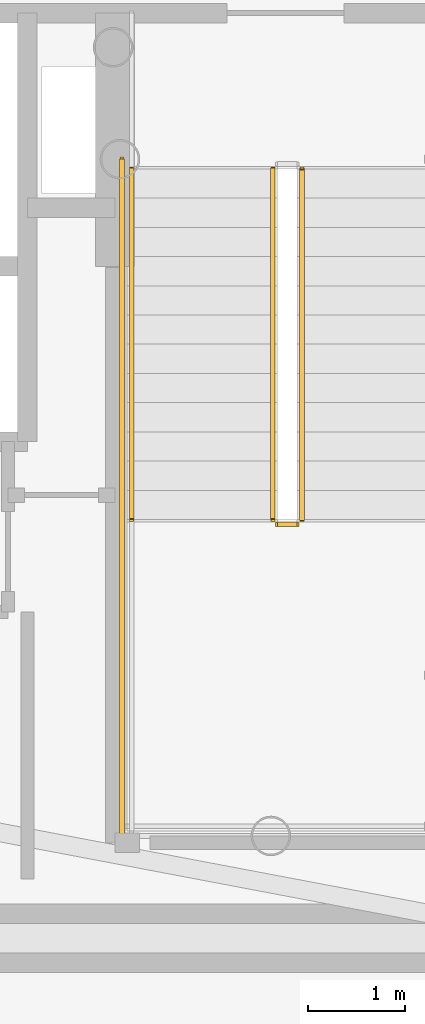
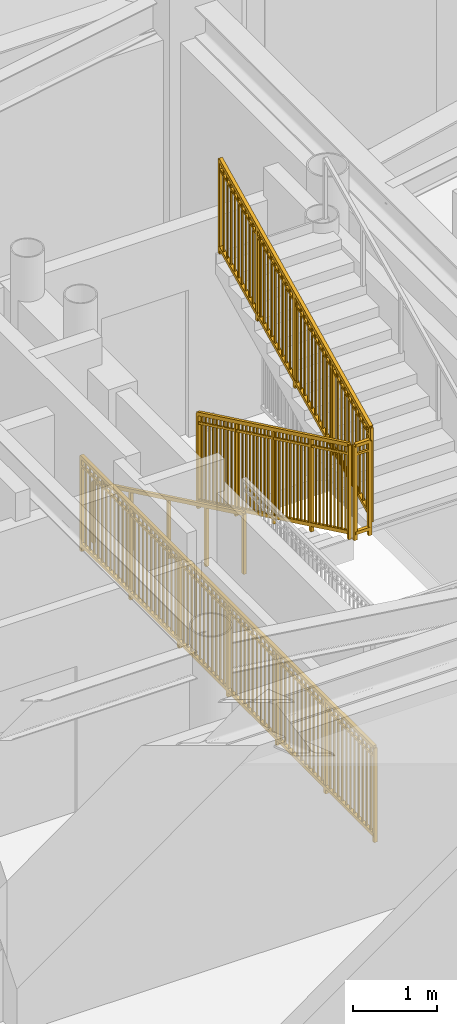
# One storey, part 16 of 19: 5 railings.
"""IFC4 building model written with IfcOpenShell, lengths in metres."""

from ifc_helpers import new_model, si_unit, direction, frame, origin, origin_2d, place, context, subcontext, project, spatial, rectangle, extrude, source, transform, mapped, material, type_object, element, save


model = new_model("IFC4")

# Units and contexts
model_context = context("Model", 3, precision=1e-05, world=origin(), true_north=direction((0.0, 1.0)))
body_context = subcontext(model_context, "Body", "Model", "MODEL_VIEW")
ifc_project = project(units=[si_unit("LENGTHUNIT", "METRE"), si_unit("AREAUNIT", "SQUARE_METRE"), si_unit("VOLUMEUNIT", "CUBIC_METRE"), si_unit("PLANEANGLEUNIT", "RADIAN"), si_unit("MASSUNIT", "GRAM", prefix="KILO")], contexts=[model_context])

# Site, building, storey
site_placement = place(None, origin())
site = spatial("IfcSite", under=ifc_project, at=site_placement, CompositionType="ELEMENT")
building_placement = place(site_placement, origin())
building = spatial("IfcBuilding", under=site, at=building_placement, Name="Linh Dai School and Residence Tower", CompositionType="ELEMENT")
storey_placement = place(building_placement, frame((0.0, 0.0, 217.800048828125)))
storey = spatial("IfcBuildingStorey", under=building, at=storey_placement, Name="L53", CompositionType="ELEMENT", Elevation=217.800048828125)

# Railings
ifc_material_1 = material(Name="Structural Steel S355JR", Category="steel")
railing_type_1 = type_object("IfcRailingType", Name="RL-ST-GUARD-1400", PredefinedType="GUARDRAIL", material=ifc_material_1)
shared_shape_1 = source(origin(), body_context, "Body", "SweptSolid", [
    extrude(rectangle(XDim=0.048095703125, YDim=0.048095703125, at=origin_2d()), frame((0.0, 0.0, 1.3759765625), z_axis=(0.0, 0.901262522062, 0.433273431364), x_axis=(-1.0, 0.0, 0.0)), (0.0, 0.0, 1.0), 3.994384765625),
    extrude(rectangle(XDim=0.048095703125, YDim=0.048095703125, at=origin_2d()), frame((0.0, 0.0, 0.10009765625), z_axis=(0.0, 0.901262522062, 0.433273431364), x_axis=(-1.0, 0.0, 0.0)), (0.0, 0.0, 1.0), 3.994384765625),
    extrude(rectangle(XDim=0.030029296875, YDim=0.030029296875, at=origin_2d()), frame((0.0, 0.0, 1.239990234375), z_axis=(0.0, 0.901262522062, 0.433273431364), x_axis=(-1.0, 0.0, 0.0)), (0.0, 0.0, 1.0), 3.994384765625),
    extrude(rectangle(XDim=0.02001953125, YDim=0.02001953125, at=origin_2d()), frame((0.0, 0.087890625, 0.142333984375)), (0.0, 0.0, 1.0), 1.251708984375),
    extrude(rectangle(XDim=0.02001953125, YDim=0.02001953125, at=origin_2d()), frame((0.0, 0.175537109375, 0.1845703125)), (0.0, 0.0, 1.0), 1.251708984375),
    extrude(rectangle(XDim=0.02001953125, YDim=0.02001953125, at=origin_2d()), frame((0.0, 0.263427734375, 0.226806640625)), (0.0, 0.0, 1.0), 1.251708984375),
    extrude(rectangle(XDim=0.02001953125, YDim=0.02001953125, at=origin_2d()), frame((0.0, 0.351318359375, 0.26904296875)), (0.0, 0.0, 1.0), 1.251708984375),
    extrude(rectangle(XDim=0.02001953125, YDim=0.02001953125, at=origin_2d()), frame((0.0, 0.43896484375, 0.311279296875)), (0.0, 0.0, 1.0), 1.251708984375),
    extrude(rectangle(XDim=0.02001953125, YDim=0.02001953125, at=origin_2d()), frame((0.0, 0.52685546875, 0.353271484375)), (0.0, 0.0, 1.0), 1.251708984375),
    extrude(rectangle(XDim=0.02001953125, YDim=0.02001953125, at=origin_2d()), frame((0.0, 0.61474609375, 0.3955078125)), (0.0, 0.0, 1.0), 1.251708984375),
    extrude(rectangle(XDim=0.02001953125, YDim=0.02001953125, at=origin_2d()), frame((0.0, 0.702392578125, 0.437744140625)), (0.0, 0.0, 1.0), 1.251708984375),
    extrude(rectangle(XDim=0.02001953125, YDim=0.02001953125, at=origin_2d()), frame((0.0, 0.790283203125, 0.47998046875)), (0.0, 0.0, 1.0), 1.251708984375),
    extrude(rectangle(XDim=0.02001953125, YDim=0.02001953125, at=origin_2d()), frame((0.0, 0.9658203125, 0.564453125)), (0.0, 0.0, 1.0), 1.251708984375),
    extrude(rectangle(XDim=0.02001953125, YDim=0.02001953125, at=origin_2d()), frame((0.0, 1.0537109375, 0.606689453125)), (0.0, 0.0, 1.0), 1.251708984375),
    extrude(rectangle(XDim=0.02001953125, YDim=0.02001953125, at=origin_2d()), frame((0.0, 1.1416015625, 0.64892578125)), (0.0, 0.0, 1.0), 1.251708984375),
    extrude(rectangle(XDim=0.02001953125, YDim=0.02001953125, at=origin_2d()), frame((0.0, 1.229248046875, 0.691162109375)), (0.0, 0.0, 1.0), 1.251708984375),
    extrude(rectangle(XDim=0.02001953125, YDim=0.02001953125, at=origin_2d()), frame((0.0, 1.317138671875, 0.7333984375)), (0.0, 0.0, 1.0), 1.251708984375),
    extrude(rectangle(XDim=0.02001953125, YDim=0.02001953125, at=origin_2d()), frame((0.0, 1.405029296875, 0.775390625)), (0.0, 0.0, 1.0), 1.251708984375),
    extrude(rectangle(XDim=0.02001953125, YDim=0.02001953125, at=origin_2d()), frame((0.0, 1.49267578125, 0.817626953125)), (0.0, 0.0, 1.0), 1.251708984375),
    extrude(rectangle(XDim=0.02001953125, YDim=0.02001953125, at=origin_2d()), frame((0.0, 1.58056640625, 0.85986328125)), (0.0, 0.0, 1.0), 1.251708984375),
    extrude(rectangle(XDim=0.02001953125, YDim=0.02001953125, at=origin_2d()), frame((0.0, 1.66845703125, 0.902099609375)), (0.0, 0.0, 1.0), 1.251708984375),
    extrude(rectangle(XDim=0.02001953125, YDim=0.02001953125, at=origin_2d()), frame((0.0, 1.756103515625, 0.9443359375)), (0.0, 0.0, 1.0), 1.251708984375),
    extrude(rectangle(XDim=0.02001953125, YDim=0.02001953125, at=origin_2d()), frame((0.0, 1.843994140625, 0.986572265625)), (0.0, 0.0, 1.0), 1.251708984375),
    extrude(rectangle(XDim=0.02001953125, YDim=0.02001953125, at=origin_2d()), frame((0.0, 1.931640625, 1.02880859375)), (0.0, 0.0, 1.0), 1.251708984375),
    extrude(rectangle(XDim=0.02001953125, YDim=0.02001953125, at=origin_2d()), frame((0.0, 2.01953125, 1.071044921875)), (0.0, 0.0, 1.0), 1.251708984375),
    extrude(rectangle(XDim=0.02001953125, YDim=0.02001953125, at=origin_2d()), frame((0.0, 2.107421875, 1.11328125)), (0.0, 0.0, 1.0), 1.251708984375),
    extrude(rectangle(XDim=0.02001953125, YDim=0.02001953125, at=origin_2d()), frame((0.0, 2.195068359375, 1.155517578125)), (0.0, 0.0, 1.0), 1.251708984375),
    extrude(rectangle(XDim=0.02001953125, YDim=0.02001953125, at=origin_2d()), frame((0.0, 2.282958984375, 1.197509765625)), (0.0, 0.0, 1.0), 1.251708984375),
    extrude(rectangle(XDim=0.02001953125, YDim=0.02001953125, at=origin_2d()), frame((0.0, 2.370849609375, 1.23974609375)), (0.0, 0.0, 1.0), 1.251708984375),
    extrude(rectangle(XDim=0.02001953125, YDim=0.02001953125, at=origin_2d()), frame((0.0, 2.45849609375, 1.281982421875)), (0.0, 0.0, 1.0), 1.251708984375),
    extrude(rectangle(XDim=0.02001953125, YDim=0.02001953125, at=origin_2d()), frame((0.0, 2.54638671875, 1.32421875)), (0.0, 0.0, 1.0), 1.251708984375),
    extrude(rectangle(XDim=0.02001953125, YDim=0.02001953125, at=origin_2d()), frame((0.0, 2.63427734375, 1.366455078125)), (0.0, 0.0, 1.0), 1.251708984375),
    extrude(rectangle(XDim=0.02001953125, YDim=0.02001953125, at=origin_2d()), frame((0.0, 2.809814453125, 1.450927734375)), (0.0, 0.0, 1.0), 1.251708984375),
    extrude(rectangle(XDim=0.02001953125, YDim=0.02001953125, at=origin_2d()), frame((0.0, 2.897705078125, 1.4931640625)), (0.0, 0.0, 1.0), 1.251708984375),
    extrude(rectangle(XDim=0.02001953125, YDim=0.02001953125, at=origin_2d()), frame((0.0, 2.9853515625, 1.535400390625)), (0.0, 0.0, 1.0), 1.251708984375),
    extrude(rectangle(XDim=0.02001953125, YDim=0.02001953125, at=origin_2d()), frame((0.0, 3.0732421875, 1.57763671875)), (0.0, 0.0, 1.0), 1.251708984375),
    extrude(rectangle(XDim=0.02001953125, YDim=0.02001953125, at=origin_2d()), frame((0.0, 3.1611328125, 1.61962890625)), (0.0, 0.0, 1.0), 1.251708984375),
    extrude(rectangle(XDim=0.02001953125, YDim=0.02001953125, at=origin_2d()), frame((0.0, 3.248779296875, 1.661865234375)), (0.0, 0.0, 1.0), 1.251708984375),
    extrude(rectangle(XDim=0.02001953125, YDim=0.02001953125, at=origin_2d()), frame((0.0, 3.336669921875, 1.7041015625)), (0.0, 0.0, 1.0), 1.251708984375),
    extrude(rectangle(XDim=0.02001953125, YDim=0.02001953125, at=origin_2d()), frame((0.0, 3.424560546875, 1.746337890625)), (0.0, 0.0, 1.0), 1.251708984375),
    extrude(rectangle(XDim=0.02001953125, YDim=0.02001953125, at=origin_2d()), frame((0.0, 3.51220703125, 1.78857421875)), (0.0, 0.0, 1.0), 1.251708984375),
    extrude(rectangle(XDim=0.0419921875, YDim=0.0419921875, at=origin_2d()), origin(), (0.0, 0.0, 1.0), 1.3759765625),
    extrude(rectangle(XDim=0.0419921875, YDim=0.0419921875, at=origin_2d()), frame((0.0, 0.89990234375, 0.4326171875)), (0.0, 0.0, 1.0), 1.3759765625),
    extrude(rectangle(XDim=0.0419921875, YDim=0.0419921875, at=origin_2d()), frame((0.0, 1.800048828125, 0.865234375)), (0.0, 0.0, 1.0), 1.3759765625),
    extrude(rectangle(XDim=0.0419921875, YDim=0.0419921875, at=origin_2d()), frame((0.0, 2.7001953125, 1.298095703125)), (0.0, 0.0, 1.0), 1.3759765625),
    extrude(rectangle(XDim=0.0419921875, YDim=0.0419921875, at=origin_2d()), frame((0.0, 3.60009765625, 1.730712890625)), (0.0, 0.0, 1.0), 1.3759765625),
])
railing_1_placement = place(storey_placement, frame((42.820068359375, 24.64990234375, 2.019287109375)))
element("IfcRailing", 1, at=railing_1_placement, inside=storey, type_object=railing_type_1, Name="L53 ST2 stair guard 6", PredefinedType="GUARDRAIL", context=body_context, shape_type="MappedRepresentation", body=[
    mapped(shared_shape_1, transform((0.0, 0.0, 0.0), x_axis=(1.0, 0.0, 0.0), y_axis=(0.0, 1.0, 0.0), z_axis=(0.0, 0.0, 1.0), scale=1.0)),
])
shared_shape_2 = source(origin(), body_context, "Body", "SweptSolid", [
    extrude(rectangle(XDim=0.048095703125, YDim=0.048095703125, at=origin_2d()), frame((0.0, 0.0, 1.3759765625), z_axis=(0.0, -0.901262522062, 0.433273431364), x_axis=(1.0, 0.0, 0.0)), (0.0, 0.0, 1.0), 3.994384765625),
    extrude(rectangle(XDim=0.048095703125, YDim=0.048095703125, at=origin_2d()), frame((0.0, 0.0, 0.10009765625), z_axis=(0.0, -0.901262522062, 0.433273431364), x_axis=(1.0, 0.0, 0.0)), (0.0, 0.0, 1.0), 3.994384765625),
    extrude(rectangle(XDim=0.030029296875, YDim=0.030029296875, at=origin_2d()), frame((0.0, 0.0, 1.239990234375), z_axis=(0.0, -0.901262522062, 0.433273431364), x_axis=(1.0, 0.0, 0.0)), (0.0, 0.0, 1.0), 3.994384765625),
    extrude(rectangle(XDim=0.02001953125, YDim=0.02001953125, at=origin_2d()), frame((0.0, -0.087890625, 0.142333984375)), (0.0, 0.0, 1.0), 1.251708984375),
    extrude(rectangle(XDim=0.02001953125, YDim=0.02001953125, at=origin_2d()), frame((0.0, -0.175537109375, 0.1845703125)), (0.0, 0.0, 1.0), 1.251708984375),
    extrude(rectangle(XDim=0.02001953125, YDim=0.02001953125, at=origin_2d()), frame((0.0, -0.263427734375, 0.226806640625)), (0.0, 0.0, 1.0), 1.251708984375),
    extrude(rectangle(XDim=0.02001953125, YDim=0.02001953125, at=origin_2d()), frame((0.0, -0.351318359375, 0.26904296875)), (0.0, 0.0, 1.0), 1.251708984375),
    extrude(rectangle(XDim=0.02001953125, YDim=0.02001953125, at=origin_2d()), frame((0.0, -0.43896484375, 0.311279296875)), (0.0, 0.0, 1.0), 1.251708984375),
    extrude(rectangle(XDim=0.02001953125, YDim=0.02001953125, at=origin_2d()), frame((0.0, -0.52685546875, 0.353271484375)), (0.0, 0.0, 1.0), 1.251708984375),
    extrude(rectangle(XDim=0.02001953125, YDim=0.02001953125, at=origin_2d()), frame((0.0, -0.61474609375, 0.3955078125)), (0.0, 0.0, 1.0), 1.251708984375),
    extrude(rectangle(XDim=0.02001953125, YDim=0.02001953125, at=origin_2d()), frame((0.0, -0.702392578125, 0.437744140625)), (0.0, 0.0, 1.0), 1.251708984375),
    extrude(rectangle(XDim=0.02001953125, YDim=0.02001953125, at=origin_2d()), frame((0.0, -0.790283203125, 0.47998046875)), (0.0, 0.0, 1.0), 1.251708984375),
    extrude(rectangle(XDim=0.02001953125, YDim=0.02001953125, at=origin_2d()), frame((0.0, -0.9658203125, 0.564453125)), (0.0, 0.0, 1.0), 1.251708984375),
    extrude(rectangle(XDim=0.02001953125, YDim=0.02001953125, at=origin_2d()), frame((0.0, -1.0537109375, 0.606689453125)), (0.0, 0.0, 1.0), 1.251708984375),
    extrude(rectangle(XDim=0.02001953125, YDim=0.02001953125, at=origin_2d()), frame((0.0, -1.1416015625, 0.64892578125)), (0.0, 0.0, 1.0), 1.251708984375),
    extrude(rectangle(XDim=0.02001953125, YDim=0.02001953125, at=origin_2d()), frame((0.0, -1.229248046875, 0.691162109375)), (0.0, 0.0, 1.0), 1.251708984375),
    extrude(rectangle(XDim=0.02001953125, YDim=0.02001953125, at=origin_2d()), frame((0.0, -1.317138671875, 0.7333984375)), (0.0, 0.0, 1.0), 1.251708984375),
    extrude(rectangle(XDim=0.02001953125, YDim=0.02001953125, at=origin_2d()), frame((0.0, -1.405029296875, 0.775390625)), (0.0, 0.0, 1.0), 1.251708984375),
    extrude(rectangle(XDim=0.02001953125, YDim=0.02001953125, at=origin_2d()), frame((0.0, -1.49267578125, 0.817626953125)), (0.0, 0.0, 1.0), 1.251708984375),
    extrude(rectangle(XDim=0.02001953125, YDim=0.02001953125, at=origin_2d()), frame((0.0, -1.58056640625, 0.85986328125)), (0.0, 0.0, 1.0), 1.251708984375),
    extrude(rectangle(XDim=0.02001953125, YDim=0.02001953125, at=origin_2d()), frame((0.0, -1.66845703125, 0.902099609375)), (0.0, 0.0, 1.0), 1.251708984375),
    extrude(rectangle(XDim=0.02001953125, YDim=0.02001953125, at=origin_2d()), frame((0.0, -1.756103515625, 0.9443359375)), (0.0, 0.0, 1.0), 1.251708984375),
    extrude(rectangle(XDim=0.02001953125, YDim=0.02001953125, at=origin_2d()), frame((0.0, -1.843994140625, 0.986572265625)), (0.0, 0.0, 1.0), 1.251708984375),
    extrude(rectangle(XDim=0.02001953125, YDim=0.02001953125, at=origin_2d()), frame((0.0, -1.931640625, 1.02880859375)), (0.0, 0.0, 1.0), 1.251708984375),
    extrude(rectangle(XDim=0.02001953125, YDim=0.02001953125, at=origin_2d()), frame((0.0, -2.01953125, 1.071044921875)), (0.0, 0.0, 1.0), 1.251708984375),
    extrude(rectangle(XDim=0.02001953125, YDim=0.02001953125, at=origin_2d()), frame((0.0, -2.107421875, 1.11328125)), (0.0, 0.0, 1.0), 1.251708984375),
    extrude(rectangle(XDim=0.02001953125, YDim=0.02001953125, at=origin_2d()), frame((0.0, -2.195068359375, 1.155517578125)), (0.0, 0.0, 1.0), 1.251708984375),
    extrude(rectangle(XDim=0.02001953125, YDim=0.02001953125, at=origin_2d()), frame((0.0, -2.282958984375, 1.197509765625)), (0.0, 0.0, 1.0), 1.251708984375),
    extrude(rectangle(XDim=0.02001953125, YDim=0.02001953125, at=origin_2d()), frame((0.0, -2.370849609375, 1.23974609375)), (0.0, 0.0, 1.0), 1.251708984375),
    extrude(rectangle(XDim=0.02001953125, YDim=0.02001953125, at=origin_2d()), frame((0.0, -2.45849609375, 1.281982421875)), (0.0, 0.0, 1.0), 1.251708984375),
    extrude(rectangle(XDim=0.02001953125, YDim=0.02001953125, at=origin_2d()), frame((0.0, -2.54638671875, 1.32421875)), (0.0, 0.0, 1.0), 1.251708984375),
    extrude(rectangle(XDim=0.02001953125, YDim=0.02001953125, at=origin_2d()), frame((0.0, -2.63427734375, 1.366455078125)), (0.0, 0.0, 1.0), 1.251708984375),
    extrude(rectangle(XDim=0.02001953125, YDim=0.02001953125, at=origin_2d()), frame((0.0, -2.809814453125, 1.450927734375)), (0.0, 0.0, 1.0), 1.251708984375),
    extrude(rectangle(XDim=0.02001953125, YDim=0.02001953125, at=origin_2d()), frame((0.0, -2.897705078125, 1.4931640625)), (0.0, 0.0, 1.0), 1.251708984375),
    extrude(rectangle(XDim=0.02001953125, YDim=0.02001953125, at=origin_2d()), frame((0.0, -2.9853515625, 1.535400390625)), (0.0, 0.0, 1.0), 1.251708984375),
    extrude(rectangle(XDim=0.02001953125, YDim=0.02001953125, at=origin_2d()), frame((0.0, -3.0732421875, 1.57763671875)), (0.0, 0.0, 1.0), 1.251708984375),
    extrude(rectangle(XDim=0.02001953125, YDim=0.02001953125, at=origin_2d()), frame((0.0, -3.1611328125, 1.61962890625)), (0.0, 0.0, 1.0), 1.251708984375),
    extrude(rectangle(XDim=0.02001953125, YDim=0.02001953125, at=origin_2d()), frame((0.0, -3.248779296875, 1.661865234375)), (0.0, 0.0, 1.0), 1.251708984375),
    extrude(rectangle(XDim=0.02001953125, YDim=0.02001953125, at=origin_2d()), frame((0.0, -3.336669921875, 1.7041015625)), (0.0, 0.0, 1.0), 1.251708984375),
    extrude(rectangle(XDim=0.02001953125, YDim=0.02001953125, at=origin_2d()), frame((0.0, -3.424560546875, 1.746337890625)), (0.0, 0.0, 1.0), 1.251708984375),
    extrude(rectangle(XDim=0.02001953125, YDim=0.02001953125, at=origin_2d()), frame((0.0, -3.51220703125, 1.78857421875)), (0.0, 0.0, 1.0), 1.251708984375),
    extrude(rectangle(XDim=0.0419921875, YDim=0.0419921875, at=origin_2d()), origin(), (0.0, 0.0, 1.0), 1.3759765625),
    extrude(rectangle(XDim=0.0419921875, YDim=0.0419921875, at=origin_2d()), frame((0.0, -0.89990234375, 0.4326171875)), (0.0, 0.0, 1.0), 1.3759765625),
    extrude(rectangle(XDim=0.0419921875, YDim=0.0419921875, at=origin_2d()), frame((0.0, -1.800048828125, 0.865234375)), (0.0, 0.0, 1.0), 1.3759765625),
    extrude(rectangle(XDim=0.0419921875, YDim=0.0419921875, at=origin_2d()), frame((0.0, -2.7001953125, 1.298095703125)), (0.0, 0.0, 1.0), 1.3759765625),
    extrude(rectangle(XDim=0.0419921875, YDim=0.0419921875, at=origin_2d()), frame((0.0, -3.60009765625, 1.730712890625)), (0.0, 0.0, 1.0), 1.3759765625),
])
railing_2_placement = place(storey_placement, frame((42.52001953125, 28.25, 0.144287109375)))
element("IfcRailing", 2, at=railing_2_placement, inside=storey, type_object=railing_type_1, Name="L53 ST2 stair guard 1", PredefinedType="GUARDRAIL", context=body_context, shape_type="MappedRepresentation", body=[
    mapped(shared_shape_2, transform((0.0, 0.0, 0.0), x_axis=(1.0, 0.0, 0.0), y_axis=(0.0, 1.0, 0.0), z_axis=(0.0, 0.0, 1.0), scale=1.0)),
])
ifc_material_2 = material(Name="Brushed Stainless Steel Handrail", Category="steel")
railing_type_2 = type_object("IfcRailingType", Name="RL-ST-HANDRAIL-900", PredefinedType="HANDRAIL", material=ifc_material_2)
shared_shape_3 = source(origin(), body_context, "Body", "SweptSolid", [
    extrude(rectangle(XDim=0.048095703125, YDim=0.048095703125, at=origin_2d()), frame((0.0, 0.0, 0.8759765625), z_axis=(0.0, -0.901262522062, 0.433273431364), x_axis=(1.0, 0.0, 0.0)), (0.0, 0.0, 1.0), 3.994384765625),
    extrude(rectangle(XDim=0.0419921875, YDim=0.0419921875, at=origin_2d()), origin(), (0.0, 0.0, 1.0), 0.8759765625),
    extrude(rectangle(XDim=0.0419921875, YDim=0.0419921875, at=origin_2d()), frame((0.0, -0.89990234375, 0.4326171875)), (0.0, 0.0, 1.0), 0.8759765625),
    extrude(rectangle(XDim=0.0419921875, YDim=0.0419921875, at=origin_2d()), frame((0.0, -1.800048828125, 0.865234375)), (0.0, 0.0, 1.0), 0.8759765625),
    extrude(rectangle(XDim=0.0419921875, YDim=0.0419921875, at=origin_2d()), frame((0.0, -2.7001953125, 1.298095703125)), (0.0, 0.0, 1.0), 0.8759765625),
    extrude(rectangle(XDim=0.0419921875, YDim=0.0419921875, at=origin_2d()), frame((0.0, -3.60009765625, 1.730712890625)), (0.0, 0.0, 1.0), 0.8759765625),
])
railing_3_placement = place(storey_placement, frame((41.070068359375, 28.25, 0.144287109375)))
element("IfcRailing", 3, at=railing_3_placement, inside=storey, type_object=railing_type_2, Name="L53 ST2 stair handrail 1", PredefinedType="HANDRAIL", context=body_context, shape_type="MappedRepresentation", body=[
    mapped(shared_shape_3, transform((0.0, 0.0, 0.0), x_axis=(1.0, 0.0, 0.0), y_axis=(0.0, 1.0, 0.0), z_axis=(0.0, 0.0, 1.0), scale=1.0)),
])
shared_shape_4 = source(origin(), body_context, "Body", "SweptSolid", [
    extrude(rectangle(XDim=0.048095703125, YDim=0.048095703125, at=origin_2d()), frame((0.0, 0.0, 1.3759765625), z_axis=(1.0, 0.0, 0.0), x_axis=(0.0, 1.0, 0.0)), (0.0, 0.0, 1.0), 0.199951171875),
    extrude(rectangle(XDim=0.048095703125, YDim=0.048095703125, at=origin_2d()), frame((0.0, 0.0, 0.10009765625), z_axis=(1.0, 0.0, 0.0), x_axis=(0.0, 1.0, 0.0)), (0.0, 0.0, 1.0), 0.199951171875),
    extrude(rectangle(XDim=0.030029296875, YDim=0.030029296875, at=origin_2d()), frame((0.0, 0.0, 1.239990234375), z_axis=(1.0, 0.0, 0.0), x_axis=(0.0, 1.0, 0.0)), (0.0, 0.0, 1.0), 0.199951171875),
    extrude(rectangle(XDim=0.0419921875, YDim=0.0419921875, at=origin_2d()), origin(), (0.0, 0.0, 1.0), 1.3759765625),
    extrude(rectangle(XDim=0.0419921875, YDim=0.0419921875, at=origin_2d()), frame((0.199951171875, 0.0, 0.0)), (0.0, 0.0, 1.0), 1.3759765625),
])
railing_4_placement = place(storey_placement, frame((42.570068359375, 24.60009765625, 1.875)))
element("IfcRailing", 4, at=railing_4_placement, inside=storey, type_object=railing_type_1, Name="L53 ST2 stair guard 2", PredefinedType="GUARDRAIL", context=body_context, shape_type="MappedRepresentation", body=[
    mapped(shared_shape_4, transform((0.0, 0.0, 0.0), x_axis=(1.0, 0.0, 0.0), y_axis=(0.0, 1.0, 0.0), z_axis=(0.0, 0.0, 1.0), scale=1.0)),
])
shared_shape_5 = source(origin(), body_context, "Body", "SweptSolid", [
    extrude(rectangle(XDim=0.048095703125, YDim=0.048095703125, at=origin_2d()), frame((0.0, 0.0, 1.3759765625), z_axis=(0.0, -1.0, 0.0), x_axis=(1.0, 0.0, 0.0)), (0.0, 0.0, 1.0), 7.0),
    extrude(rectangle(XDim=0.048095703125, YDim=0.048095703125, at=origin_2d()), frame((0.0, 0.0, 0.10009765625), z_axis=(0.0, -1.0, 0.0), x_axis=(1.0, 0.0, 0.0)), (0.0, 0.0, 1.0), 7.0),
    extrude(rectangle(XDim=0.030029296875, YDim=0.030029296875, at=origin_2d()), frame((0.0, 0.0, 1.239990234375), z_axis=(0.0, -1.0, 0.0), x_axis=(1.0, 0.0, 0.0)), (0.0, 0.0, 1.0), 7.0),
    extrude(rectangle(XDim=0.02001953125, YDim=0.02001953125, at=origin_2d()), frame((0.0, -0.09716796875, 0.10009765625)), (0.0, 0.0, 1.0), 1.251708984375),
    extrude(rectangle(XDim=0.02001953125, YDim=0.02001953125, at=origin_2d()), frame((0.0, -0.1943359375, 0.10009765625)), (0.0, 0.0, 1.0), 1.251708984375),
    extrude(rectangle(XDim=0.02001953125, YDim=0.02001953125, at=origin_2d()), frame((0.0, -0.291748046875, 0.10009765625)), (0.0, 0.0, 1.0), 1.251708984375),
    extrude(rectangle(XDim=0.02001953125, YDim=0.02001953125, at=origin_2d()), frame((0.0, -0.388916015625, 0.10009765625)), (0.0, 0.0, 1.0), 1.251708984375),
    extrude(rectangle(XDim=0.02001953125, YDim=0.02001953125, at=origin_2d()), frame((0.0, -0.486083984375, 0.10009765625)), (0.0, 0.0, 1.0), 1.251708984375),
    extrude(rectangle(XDim=0.02001953125, YDim=0.02001953125, at=origin_2d()), frame((0.0, -0.583251953125, 0.10009765625)), (0.0, 0.0, 1.0), 1.251708984375),
    extrude(rectangle(XDim=0.02001953125, YDim=0.02001953125, at=origin_2d()), frame((0.0, -0.6806640625, 0.10009765625)), (0.0, 0.0, 1.0), 1.251708984375),
    extrude(rectangle(XDim=0.02001953125, YDim=0.02001953125, at=origin_2d()), frame((0.0, -0.77783203125, 0.10009765625)), (0.0, 0.0, 1.0), 1.251708984375),
    extrude(rectangle(XDim=0.02001953125, YDim=0.02001953125, at=origin_2d()), frame((0.0, -0.875, 0.10009765625)), (0.0, 0.0, 1.0), 1.251708984375),
    extrude(rectangle(XDim=0.02001953125, YDim=0.02001953125, at=origin_2d()), frame((0.0, -0.97216796875, 0.10009765625)), (0.0, 0.0, 1.0), 1.251708984375),
    extrude(rectangle(XDim=0.02001953125, YDim=0.02001953125, at=origin_2d()), frame((0.0, -1.0693359375, 0.10009765625)), (0.0, 0.0, 1.0), 1.251708984375),
    extrude(rectangle(XDim=0.02001953125, YDim=0.02001953125, at=origin_2d()), frame((0.0, -1.263916015625, 0.10009765625)), (0.0, 0.0, 1.0), 1.251708984375),
    extrude(rectangle(XDim=0.02001953125, YDim=0.02001953125, at=origin_2d()), frame((0.0, -1.361083984375, 0.10009765625)), (0.0, 0.0, 1.0), 1.251708984375),
    extrude(rectangle(XDim=0.02001953125, YDim=0.02001953125, at=origin_2d()), frame((0.0, -1.458251953125, 0.10009765625)), (0.0, 0.0, 1.0), 1.251708984375),
    extrude(rectangle(XDim=0.02001953125, YDim=0.02001953125, at=origin_2d()), frame((0.0, -1.5556640625, 0.10009765625)), (0.0, 0.0, 1.0), 1.251708984375),
    extrude(rectangle(XDim=0.02001953125, YDim=0.02001953125, at=origin_2d()), frame((0.0, -1.65283203125, 0.10009765625)), (0.0, 0.0, 1.0), 1.251708984375),
    extrude(rectangle(XDim=0.02001953125, YDim=0.02001953125, at=origin_2d()), frame((0.0, -1.75, 0.10009765625)), (0.0, 0.0, 1.0), 1.251708984375),
    extrude(rectangle(XDim=0.02001953125, YDim=0.02001953125, at=origin_2d()), frame((0.0, -1.84716796875, 0.10009765625)), (0.0, 0.0, 1.0), 1.251708984375),
    extrude(rectangle(XDim=0.02001953125, YDim=0.02001953125, at=origin_2d()), frame((0.0, -1.9443359375, 0.10009765625)), (0.0, 0.0, 1.0), 1.251708984375),
    extrude(rectangle(XDim=0.02001953125, YDim=0.02001953125, at=origin_2d()), frame((0.0, -2.041748046875, 0.10009765625)), (0.0, 0.0, 1.0), 1.251708984375),
    extrude(rectangle(XDim=0.02001953125, YDim=0.02001953125, at=origin_2d()), frame((0.0, -2.138916015625, 0.10009765625)), (0.0, 0.0, 1.0), 1.251708984375),
    extrude(rectangle(XDim=0.02001953125, YDim=0.02001953125, at=origin_2d()), frame((0.0, -2.236083984375, 0.10009765625)), (0.0, 0.0, 1.0), 1.251708984375),
    extrude(rectangle(XDim=0.02001953125, YDim=0.02001953125, at=origin_2d()), frame((0.0, -2.4306640625, 0.10009765625)), (0.0, 0.0, 1.0), 1.251708984375),
    extrude(rectangle(XDim=0.02001953125, YDim=0.02001953125, at=origin_2d()), frame((0.0, -2.52783203125, 0.10009765625)), (0.0, 0.0, 1.0), 1.251708984375),
    extrude(rectangle(XDim=0.02001953125, YDim=0.02001953125, at=origin_2d()), frame((0.0, -2.625, 0.10009765625)), (0.0, 0.0, 1.0), 1.251708984375),
    extrude(rectangle(XDim=0.02001953125, YDim=0.02001953125, at=origin_2d()), frame((0.0, -2.72216796875, 0.10009765625)), (0.0, 0.0, 1.0), 1.251708984375),
    extrude(rectangle(XDim=0.02001953125, YDim=0.02001953125, at=origin_2d()), frame((0.0, -2.8193359375, 0.10009765625)), (0.0, 0.0, 1.0), 1.251708984375),
    extrude(rectangle(XDim=0.02001953125, YDim=0.02001953125, at=origin_2d()), frame((0.0, -2.916748046875, 0.10009765625)), (0.0, 0.0, 1.0), 1.251708984375),
    extrude(rectangle(XDim=0.02001953125, YDim=0.02001953125, at=origin_2d()), frame((0.0, -3.013916015625, 0.10009765625)), (0.0, 0.0, 1.0), 1.251708984375),
    extrude(rectangle(XDim=0.02001953125, YDim=0.02001953125, at=origin_2d()), frame((0.0, -3.111083984375, 0.10009765625)), (0.0, 0.0, 1.0), 1.251708984375),
    extrude(rectangle(XDim=0.02001953125, YDim=0.02001953125, at=origin_2d()), frame((0.0, -3.208251953125, 0.10009765625)), (0.0, 0.0, 1.0), 1.251708984375),
    extrude(rectangle(XDim=0.02001953125, YDim=0.02001953125, at=origin_2d()), frame((0.0, -3.3056640625, 0.10009765625)), (0.0, 0.0, 1.0), 1.251708984375),
    extrude(rectangle(XDim=0.02001953125, YDim=0.02001953125, at=origin_2d()), frame((0.0, -3.40283203125, 0.10009765625)), (0.0, 0.0, 1.0), 1.251708984375),
    extrude(rectangle(XDim=0.02001953125, YDim=0.02001953125, at=origin_2d()), frame((0.0, -3.59716796875, 0.10009765625)), (0.0, 0.0, 1.0), 1.251708984375),
    extrude(rectangle(XDim=0.02001953125, YDim=0.02001953125, at=origin_2d()), frame((0.0, -3.6943359375, 0.10009765625)), (0.0, 0.0, 1.0), 1.251708984375),
    extrude(rectangle(XDim=0.02001953125, YDim=0.02001953125, at=origin_2d()), frame((0.0, -3.791748046875, 0.10009765625)), (0.0, 0.0, 1.0), 1.251708984375),
    extrude(rectangle(XDim=0.02001953125, YDim=0.02001953125, at=origin_2d()), frame((0.0, -3.888916015625, 0.10009765625)), (0.0, 0.0, 1.0), 1.251708984375),
    extrude(rectangle(XDim=0.02001953125, YDim=0.02001953125, at=origin_2d()), frame((0.0, -3.986083984375, 0.10009765625)), (0.0, 0.0, 1.0), 1.251708984375),
    extrude(rectangle(XDim=0.02001953125, YDim=0.02001953125, at=origin_2d()), frame((0.0, -4.083251953125, 0.10009765625)), (0.0, 0.0, 1.0), 1.251708984375),
    extrude(rectangle(XDim=0.02001953125, YDim=0.02001953125, at=origin_2d()), frame((0.0, -4.1806640625, 0.10009765625)), (0.0, 0.0, 1.0), 1.251708984375),
    extrude(rectangle(XDim=0.02001953125, YDim=0.02001953125, at=origin_2d()), frame((0.0, -4.27783203125, 0.10009765625)), (0.0, 0.0, 1.0), 1.251708984375),
    extrude(rectangle(XDim=0.02001953125, YDim=0.02001953125, at=origin_2d()), frame((0.0, -4.375, 0.10009765625)), (0.0, 0.0, 1.0), 1.251708984375),
    extrude(rectangle(XDim=0.02001953125, YDim=0.02001953125, at=origin_2d()), frame((0.0, -4.47216796875, 0.10009765625)), (0.0, 0.0, 1.0), 1.251708984375),
    extrude(rectangle(XDim=0.02001953125, YDim=0.02001953125, at=origin_2d()), frame((0.0, -4.5693359375, 0.10009765625)), (0.0, 0.0, 1.0), 1.251708984375),
    extrude(rectangle(XDim=0.02001953125, YDim=0.02001953125, at=origin_2d()), frame((0.0, -4.763916015625, 0.10009765625)), (0.0, 0.0, 1.0), 1.251708984375),
    extrude(rectangle(XDim=0.02001953125, YDim=0.02001953125, at=origin_2d()), frame((0.0, -4.861083984375, 0.10009765625)), (0.0, 0.0, 1.0), 1.251708984375),
    extrude(rectangle(XDim=0.02001953125, YDim=0.02001953125, at=origin_2d()), frame((0.0, -4.958251953125, 0.10009765625)), (0.0, 0.0, 1.0), 1.251708984375),
    extrude(rectangle(XDim=0.02001953125, YDim=0.02001953125, at=origin_2d()), frame((0.0, -5.0556640625, 0.10009765625)), (0.0, 0.0, 1.0), 1.251708984375),
    extrude(rectangle(XDim=0.02001953125, YDim=0.02001953125, at=origin_2d()), frame((0.0, -5.15283203125, 0.10009765625)), (0.0, 0.0, 1.0), 1.251708984375),
    extrude(rectangle(XDim=0.02001953125, YDim=0.02001953125, at=origin_2d()), frame((0.0, -5.25, 0.10009765625)), (0.0, 0.0, 1.0), 1.251708984375),
    extrude(rectangle(XDim=0.02001953125, YDim=0.02001953125, at=origin_2d()), frame((0.0, -5.34716796875, 0.10009765625)), (0.0, 0.0, 1.0), 1.251708984375),
    extrude(rectangle(XDim=0.02001953125, YDim=0.02001953125, at=origin_2d()), frame((0.0, -5.4443359375, 0.10009765625)), (0.0, 0.0, 1.0), 1.251708984375),
    extrude(rectangle(XDim=0.02001953125, YDim=0.02001953125, at=origin_2d()), frame((0.0, -5.541748046875, 0.10009765625)), (0.0, 0.0, 1.0), 1.251708984375),
    extrude(rectangle(XDim=0.02001953125, YDim=0.02001953125, at=origin_2d()), frame((0.0, -5.638916015625, 0.10009765625)), (0.0, 0.0, 1.0), 1.251708984375),
    extrude(rectangle(XDim=0.02001953125, YDim=0.02001953125, at=origin_2d()), frame((0.0, -5.736083984375, 0.10009765625)), (0.0, 0.0, 1.0), 1.251708984375),
    extrude(rectangle(XDim=0.02001953125, YDim=0.02001953125, at=origin_2d()), frame((0.0, -5.9306640625, 0.10009765625)), (0.0, 0.0, 1.0), 1.251708984375),
    extrude(rectangle(XDim=0.02001953125, YDim=0.02001953125, at=origin_2d()), frame((0.0, -6.02783203125, 0.10009765625)), (0.0, 0.0, 1.0), 1.251708984375),
    extrude(rectangle(XDim=0.02001953125, YDim=0.02001953125, at=origin_2d()), frame((0.0, -6.125, 0.10009765625)), (0.0, 0.0, 1.0), 1.251708984375),
    extrude(rectangle(XDim=0.02001953125, YDim=0.02001953125, at=origin_2d()), frame((0.0, -6.22216796875, 0.10009765625)), (0.0, 0.0, 1.0), 1.251708984375),
    extrude(rectangle(XDim=0.02001953125, YDim=0.02001953125, at=origin_2d()), frame((0.0, -6.3193359375, 0.10009765625)), (0.0, 0.0, 1.0), 1.251708984375),
    extrude(rectangle(XDim=0.02001953125, YDim=0.02001953125, at=origin_2d()), frame((0.0, -6.416748046875, 0.10009765625)), (0.0, 0.0, 1.0), 1.251708984375),
    extrude(rectangle(XDim=0.02001953125, YDim=0.02001953125, at=origin_2d()), frame((0.0, -6.513916015625, 0.10009765625)), (0.0, 0.0, 1.0), 1.251708984375),
    extrude(rectangle(XDim=0.02001953125, YDim=0.02001953125, at=origin_2d()), frame((0.0, -6.611083984375, 0.10009765625)), (0.0, 0.0, 1.0), 1.251708984375),
    extrude(rectangle(XDim=0.02001953125, YDim=0.02001953125, at=origin_2d()), frame((0.0, -6.708251953125, 0.10009765625)), (0.0, 0.0, 1.0), 1.251708984375),
    extrude(rectangle(XDim=0.02001953125, YDim=0.02001953125, at=origin_2d()), frame((0.0, -6.8056640625, 0.10009765625)), (0.0, 0.0, 1.0), 1.251708984375),
    extrude(rectangle(XDim=0.02001953125, YDim=0.02001953125, at=origin_2d()), frame((0.0, -6.90283203125, 0.10009765625)), (0.0, 0.0, 1.0), 1.251708984375),
    extrude(rectangle(XDim=0.0419921875, YDim=0.0419921875, at=origin_2d()), origin(), (0.0, 0.0, 1.0), 1.3759765625),
    extrude(rectangle(XDim=0.0419921875, YDim=0.0419921875, at=origin_2d()), frame((0.0, -1.166748046875, 0.0)), (0.0, 0.0, 1.0), 1.3759765625),
    extrude(rectangle(XDim=0.0419921875, YDim=0.0419921875, at=origin_2d()), frame((0.0, -2.333251953125, 0.0)), (0.0, 0.0, 1.0), 1.3759765625),
    extrude(rectangle(XDim=0.0419921875, YDim=0.0419921875, at=origin_2d()), frame((0.0, -3.5, 0.0)), (0.0, 0.0, 1.0), 1.3759765625),
    extrude(rectangle(XDim=0.0419921875, YDim=0.0419921875, at=origin_2d()), frame((0.0, -4.666748046875, 0.0)), (0.0, 0.0, 1.0), 1.3759765625),
    extrude(rectangle(XDim=0.0419921875, YDim=0.0419921875, at=origin_2d()), frame((0.0, -5.833251953125, 0.0)), (0.0, 0.0, 1.0), 1.3759765625),
    extrude(rectangle(XDim=0.0419921875, YDim=0.0419921875, at=origin_2d()), frame((0.0, -7.0, 0.0)), (0.0, 0.0, 1.0), 1.3759765625),
])
railing_5_placement = place(storey_placement, frame((40.969970703125, 28.35009765625, 0.0)))
element("IfcRailing", 5, at=railing_5_placement, inside=storey, type_object=railing_type_1, Name="L53 ST2 stair guard 10", PredefinedType="GUARDRAIL", context=body_context, shape_type="MappedRepresentation", body=[
    mapped(shared_shape_5, transform((0.0, 0.0, 0.0), x_axis=(1.0, 0.0, 0.0), y_axis=(0.0, 1.0, 0.0), z_axis=(0.0, 0.0, 1.0), scale=1.0)),
])

save(model, "model.ifc")
